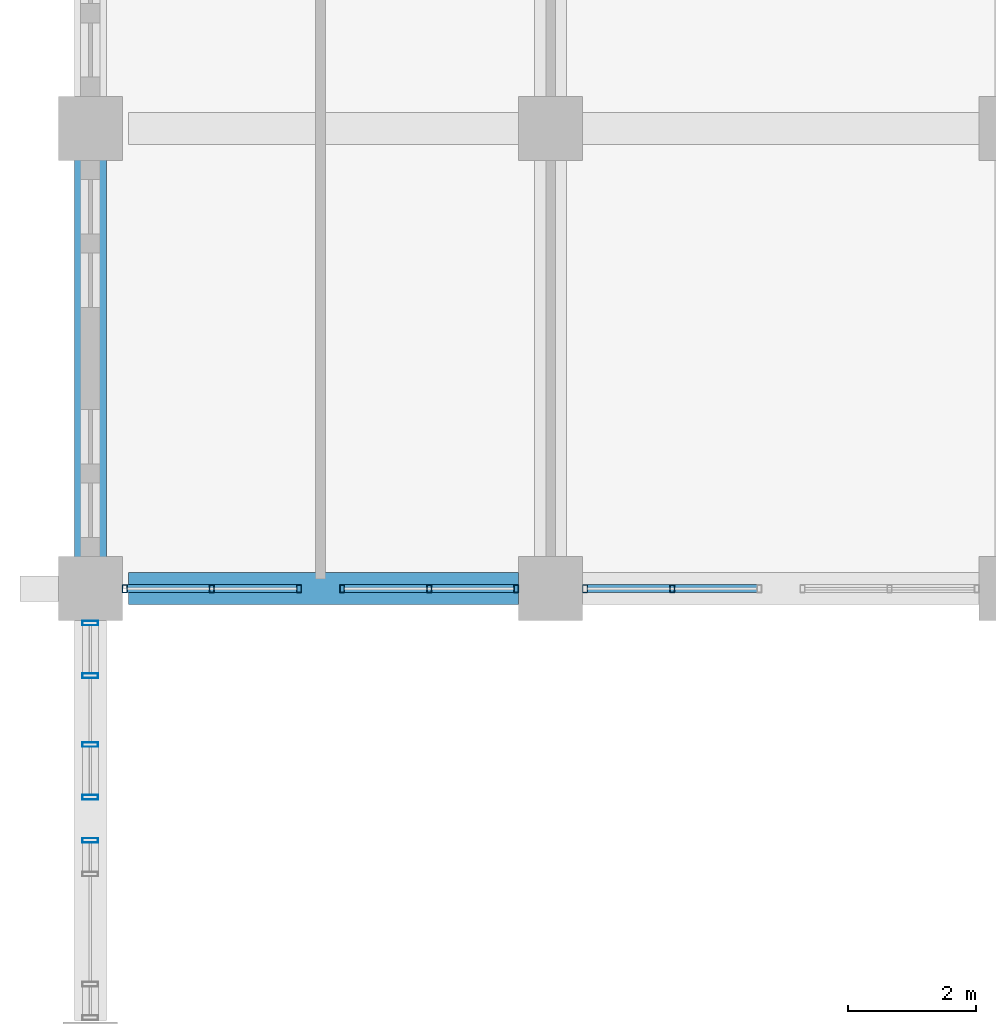
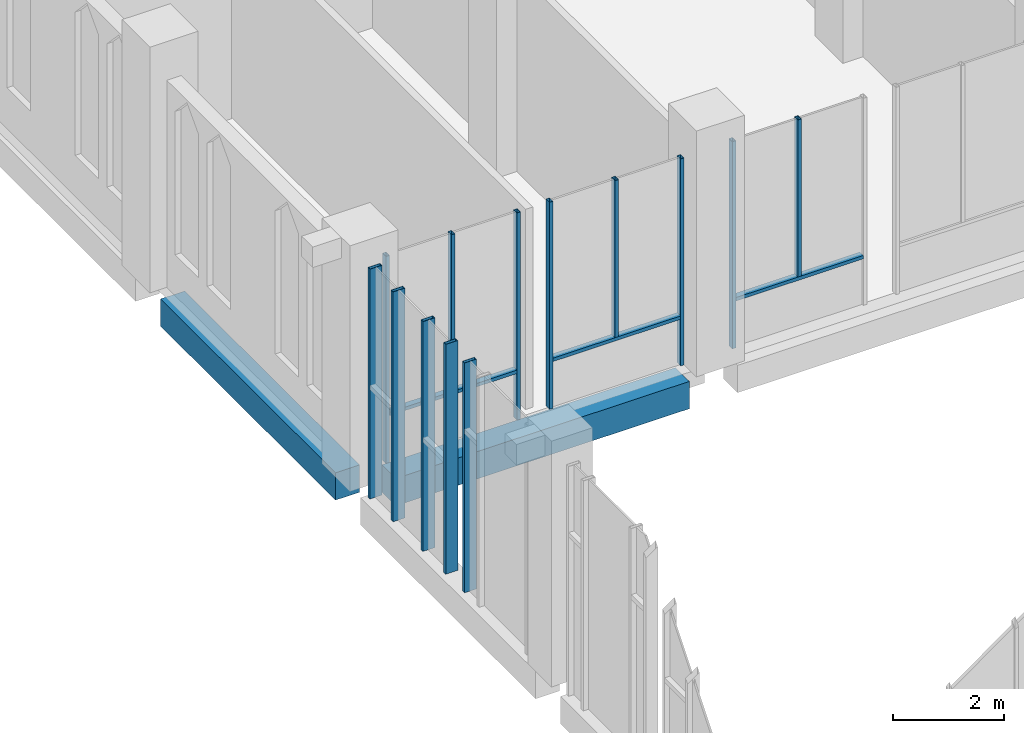
# One storey, part 7 of 48: 16 members, 2 beams, 5 elements without a shape of their own.
"""IFC4 building model written with IfcOpenShell, lengths in metres."""

import ifcopenshell
import ifcopenshell.guid

model = None  # the IFC model being written
_history = None  # IfcOwnerHistory: only IFC2X3 demands one
_inside = {}  # id of a spatial element -> (the spatial element, [elements in it])
_under = {}  # id of a project, library or spatial element -> (it, [spatial elements below it])
_declared = {}  # id of a project -> (the project, [libraries it declares])
_typed = {}  # id of a type object -> (the type object, [elements of that type])
_made_of = {}  # id of a material, layer set ... -> (it, [elements and type objects made of it])


def new_model(schema):
    """Start an empty IFC model of exactly this schema.

    Asked for "IFC4X3", IfcOpenShell would pick the latest addendum, in which some entities
    have other attributes; the version numbers below select the first issue.
    IFC2X3 requires an IfcOwnerHistory on every rooted entity: one is made here for all.
    """
    global model, _history
    if schema == "IFC4X3":
        model = ifcopenshell.file(schema_version=(4, 3, 0, 0))
    else:
        model = ifcopenshell.file(schema=schema)
    _inside.clear()
    _under.clear()
    _declared.clear()
    _typed.clear()
    _made_of.clear()
    _history = None
    if model.schema == "IFC2X3":
        org = make("IfcOrganization", Name="unknown")
        user = make(
            "IfcPersonAndOrganization",
            ThePerson=make("IfcPerson", FamilyName="unknown"),
            TheOrganization=org,
        )
        app = make(
            "IfcApplication",
            ApplicationDeveloper=org,
            Version="unknown",
            ApplicationFullName="unknown",
            ApplicationIdentifier="unknown",
        )
        _history = make(
            "IfcOwnerHistory",
            OwningUser=user,
            OwningApplication=app,
            ChangeAction="ADDED",
            CreationDate=0,
        )
    return model


def make(cls, **values):
    """One entity of the class cls with the attributes given. An attribute that is None is left unset."""
    return model.create_entity(
        cls, **{name: value for name, value in values.items() if value is not None}
    )


def rooted(cls, **values):
    """An entity with a GlobalId (a new one), such as an element, a storey or a relation."""
    return make(cls, GlobalId=ifcopenshell.guid.new(), OwnerHistory=_history, **values)


def si_unit(unit_type, name, prefix=None):
    """IfcSIUnit, for example si_unit("LENGTHUNIT", "METRE", prefix="MILLI")."""
    return make("IfcSIUnit", UnitType=unit_type, Prefix=prefix, Name=name)


def assignment(units):
    """IfcUnitAssignment: the units of a project."""
    return None if units is None else make("IfcUnitAssignment", Units=units)


def point(xyz):
    """IfcCartesianPoint."""
    return None if xyz is None else make("IfcCartesianPoint", Coordinates=xyz)


def direction(xyz):
    """IfcDirection."""
    return None if xyz is None else make("IfcDirection", DirectionRatios=xyz)


def frame(location, z_axis=None, x_axis=None):
    """IfcAxis2Placement3D, a coordinate frame: its origin and axes. An axis left out is left unset."""
    return make(
        "IfcAxis2Placement3D",
        Location=point(location),
        Axis=direction(z_axis),
        RefDirection=direction(x_axis),
    )


def frame_2d(location, x_axis=None):
    """IfcAxis2Placement2D, a coordinate frame in the plane: its origin and x axis."""
    return make(
        "IfcAxis2Placement2D", Location=point(location), RefDirection=direction(x_axis)
    )


def origin():
    """The frame at (0, 0, 0) with its axes left unset."""
    return frame((0.0, 0.0, 0.0))


def origin_2d():
    """The frame at (0, 0) in the plane with its x axis left unset."""
    return frame_2d((0.0, 0.0))


def place(relative_to, where):
    """IfcLocalPlacement: puts the frame where relative to a parent placement (None: the world)."""
    return make(
        "IfcLocalPlacement", PlacementRelTo=relative_to, RelativePlacement=where
    )


def context(
    kind, dimensions, precision=None, world=None, true_north=None, identifier=None
):
    """IfcGeometricRepresentationContext, for example the 3D "Model" context."""
    return make(
        "IfcGeometricRepresentationContext",
        ContextIdentifier=identifier,
        ContextType=kind,
        CoordinateSpaceDimension=dimensions,
        Precision=precision,
        WorldCoordinateSystem=world,
        TrueNorth=true_north,
    )


def subcontext(parent, identifier, kind, view, scale=None):
    """IfcGeometricRepresentationSubContext, for example "Body" below "Model"."""
    return make(
        "IfcGeometricRepresentationSubContext",
        ContextIdentifier=identifier,
        ContextType=kind,
        ParentContext=parent,
        TargetScale=scale,
        TargetView=view,
    )


def project(units=None, contexts=None):
    """IfcProject with its units and contexts."""
    return rooted(
        "IfcProject",
        Name="project",
        RepresentationContexts=contexts,
        UnitsInContext=assignment(units),
    )


def spatial(cls, under=None, at=None, **own):
    """A site, building, storey or space (cls), placed at a placement, below another one or the project."""
    s = rooted(cls, ObjectPlacement=at, **own)
    if under is not None:
        _under.setdefault(under.id(), (under, []))[1].append(s)
    return s


def profile(cls, at=None, kind="AREA", **sizes):
    """A parametric profile (cls). Its sizes go by their IFC names, for example OverallWidth=200.0."""
    return make(cls, ProfileType=kind, Position=at, **sizes)


def rectangle(**sizes):
    """IfcRectangleProfileDef."""
    return profile("IfcRectangleProfileDef", **sizes)


def hollow_rectangle(**sizes):
    """IfcRectangleHollowProfileDef."""
    return profile("IfcRectangleHollowProfileDef", **sizes)


def extrude(swept, where, along, depth):
    """IfcExtrudedAreaSolid: the profile swept, set in the frame where, extruded along a direction by depth."""
    return make(
        "IfcExtrudedAreaSolid",
        SweptArea=swept,
        Position=where,
        ExtrudedDirection=direction(along),
        Depth=depth,
    )


def shape(context_of_items, identifier, shape_type, items):
    """IfcShapeRepresentation: the items that make up one representation, for example the "Body"."""
    return make(
        "IfcShapeRepresentation",
        ContextOfItems=context_of_items,
        RepresentationIdentifier=identifier,
        RepresentationType=shape_type,
        Items=items,
    )


def material(Name=None, Category=None):
    """IfcMaterial."""
    return make("IfcMaterial", Name=Name, Category=Category)


def material_profile(
    of_material, cross_section, Name=None, Category=None, Priority=None
):
    """IfcMaterialProfile: a cross section and its material."""
    return make(
        "IfcMaterialProfile",
        Name=Name,
        Material=of_material,
        Profile=cross_section,
        Priority=Priority,
        Category=Category,
    )


def profile_set(profiles, Name=None, composite=None):
    """IfcMaterialProfileSet."""
    return make(
        "IfcMaterialProfileSet",
        Name=Name,
        MaterialProfiles=profiles,
        CompositeProfile=composite,
    )


def made_of(thing, what):
    """Note that an element or type object is made of a material, layer set ...; save() writes the relation."""
    if what is not None:
        _made_of.setdefault(what.id(), (what, []))[1].append(thing)
    return thing


def type_object(cls, material=None, **own):
    """A type object (cls), such as IfcWallType, which elements share."""
    return made_of(rooted(cls, **own), material)


def element(
    cls,
    number,
    at=None,
    inside=None,
    cuts=None,
    type_object=None,
    material=None,
    context=None,
    identifier="Body",
    shape_type=None,
    held_by="IfcProductDefinitionShape",
    body=None,
    shapes=None,
    **own,
):
    """One element of the class cls, such as IfcWall. Its Tag is "e" and its number.

    at: its placement. inside: the storey or other place that contains it. cuts: it is an
    opening in that element (IfcRelVoidsElement). A single representation is given by context,
    identifier, shape_type and body (its items); several are given by shapes. held_by: the class
    of the entity that holds the representations. save() writes the other relations.
    """
    e = rooted(cls, Tag="e%d" % number, ObjectPlacement=at, **own)
    if body is not None:
        shapes = [shape(context, identifier, shape_type, body)]
    if shapes is not None:
        e.Representation = make(held_by, Representations=shapes)
    if inside is not None:
        _inside.setdefault(inside.id(), (inside, []))[1].append(e)
    if cuts is not None:
        rooted(
            "IfcRelVoidsElement", RelatingBuildingElement=cuts, RelatedOpeningElement=e
        )
    if type_object is not None:
        _typed.setdefault(type_object.id(), (type_object, []))[1].append(e)
    return made_of(e, material)


def aggregate(whole, parts):
    """IfcRelAggregates: a whole, such as a stair, and the parts it consists of."""
    return rooted("IfcRelAggregates", RelatingObject=whole, RelatedObjects=parts)


def save(model, path):
    """Write the relations noted so far, then the file.

    IfcRelAggregates (storeys below a building ...), IfcRelContainedInSpatialStructure (elements
    in a storey), IfcRelDefinesByType, IfcRelAssociatesMaterial and IfcRelDeclares: one each for
    every whole, place, type object, material and project.
    """
    for whole, parts in _under.values():
        aggregate(whole, parts)
    for where, things in _inside.values():
        rooted(
            "IfcRelContainedInSpatialStructure",
            RelatedElements=things,
            RelatingStructure=where,
        )
    for kind, things in _typed.values():
        rooted("IfcRelDefinesByType", RelatedObjects=things, RelatingType=kind)
    for what, things in _made_of.values():
        rooted("IfcRelAssociatesMaterial", RelatedObjects=things, RelatingMaterial=what)
    for by, libraries in _declared.values():
        rooted("IfcRelDeclares", RelatingContext=by, RelatedDefinitions=libraries)
    model.write(path)


model = new_model("IFC4")

# Units and contexts
model_context = context("Model", 3, precision=1e-05, world=origin(), true_north=direction((0.0, 1.0)))
body_context = subcontext(model_context, "Body", "Model", "MODEL_VIEW")
ifc_project = project(units=[si_unit("LENGTHUNIT", "METRE"), si_unit("AREAUNIT", "SQUARE_METRE"), si_unit("VOLUMEUNIT", "CUBIC_METRE"), si_unit("PLANEANGLEUNIT", "RADIAN"), si_unit("MASSUNIT", "GRAM", prefix="KILO")], contexts=[model_context])

# Site, building, storey
site_placement = place(None, origin())
site = spatial("IfcSite", under=ifc_project, at=site_placement, CompositionType="ELEMENT")
building_placement = place(site_placement, origin())
building = spatial("IfcBuilding", under=site, at=building_placement, Name="Silangan Lancet Faculty of Sciences", CompositionType="ELEMENT")
storey_placement = place(building_placement, frame((0.0, 0.0, 6.0)))
storey = spatial("IfcBuildingStorey", under=building, at=storey_placement, Name="L01", CompositionType="ELEMENT", Elevation=6.0)

# Beams
ifc_material_1 = material(Name="Concrete C40/50", Category="concrete")
ifc_material_profile_1 = material_profile(ifc_material_1, rectangle(XDim=0.5, YDim=0.60009765625, at=origin_2d()), Name="RC 500x600")
ifc_profile_set_1 = profile_set([ifc_material_profile_1], Name="Concrete C40/50")
beam_type = type_object("IfcBeamType", Name="BEAM RC 500x600", PredefinedType="BEAM", material=ifc_profile_set_1)
beam_1_placement = place(storey_placement, frame((0.60009765625, 36.0, -0.550048828125), z_axis=(1.0, 0.0, 0.0), x_axis=(0.0, 1.0, 0.0)))
element("IfcBeam", 1, at=beam_1_placement, inside=storey, type_object=beam_type, Name="BM-L01-1F-2F", PredefinedType="BEAM", context=body_context, shape_type="SweptSolid", body=[
    extrude(rectangle(XDim=0.5, YDim=0.60009765625, at=origin_2d()), origin(), (0.0, 0.0, 1.0), 6.099853515625),
])
beam_2_placement = place(storey_placement, frame((0.0, 36.449951171875, -0.550048828125), z_axis=(0.0, 1.0, 0.0), x_axis=(-1.0, 0.0, 0.0)))
element("IfcBeam", 2, at=beam_2_placement, inside=storey, type_object=beam_type, Name="BM-L01-1F-1G", PredefinedType="BEAM", context=body_context, shape_type="SweptSolid", body=[
    extrude(rectangle(XDim=0.5, YDim=0.60009765625, at=origin_2d()), origin(), (0.0, 0.0, 1.0), 6.300048828125),
])

# Curtain wall, members
ifc_material_2 = material(Name="Aluminium framed curtain wall with insulated glass", Category="aluminium")
curtain_wall_type_1 = type_object("IfcCurtainWallType", Name="CW2 Atrium fire-resisting screen", PredefinedType="NOTDEFINED", material=ifc_material_2)
curtain_wall_1_placement = place(storey_placement, origin())
curtain_wall_1 = element("IfcCurtainWall", 3, at=curtain_wall_1_placement, inside=storey, type_object=curtain_wall_type_1, Name="CW2 Atrium north L01 bay 1", PredefinedType="NOTDEFINED")
ifc_material_3 = material(Name="Steel S355J2H", Category="steel")
ifc_material_profile_2 = material_profile(ifc_material_3, hollow_rectangle(XDim=0.074951171875, YDim=0.125, WallThickness=0.0048828125, at=origin_2d()), Name="ST BOX 75x125x5")
ifc_profile_set_2 = profile_set([ifc_material_profile_2], Name="Steel S355J2H")
member_type_1 = type_object("IfcMemberType", Name="CM2 Mullion 75x125", PredefinedType="MULLION", material=ifc_profile_set_2)
member_1_placement = place(storey_placement, frame((0.53759765625, 36.0, 0.0), z_axis=(0.0, 0.0, 1.0), x_axis=(1.0, 0.0, 0.0)))
member_1 = element("IfcMember", 4, at=member_1_placement, type_object=member_type_1, Name="CW2 Atrium north L01 bay 1 mullion 1", PredefinedType="MULLION", context=body_context, shape_type="SweptSolid", body=[
    extrude(hollow_rectangle(XDim=0.074951171875, YDim=0.125, WallThickness=0.0048828125, at=origin_2d()), origin(), (0.0, 0.0, 1.0), 4.550048828125),
])
member_2_placement = place(storey_placement, frame((3.2626953125, 36.0, 0.0), z_axis=(0.0, 0.0, 1.0), x_axis=(1.0, 0.0, 0.0)))
member_2 = element("IfcMember", 5, at=member_2_placement, type_object=member_type_1, Name="CW2 Atrium north L01 bay 1 mullion 2", PredefinedType="MULLION", context=body_context, shape_type="SweptSolid", body=[
    extrude(hollow_rectangle(XDim=0.074951171875, YDim=0.125, WallThickness=0.0048828125, at=origin_2d()), origin(), (0.0, 0.0, 1.0), 4.550048828125),
])
member_3_placement = place(storey_placement, frame((1.900146484375, 36.0, 1.10009765625), z_axis=(0.0, 0.0, 1.0), x_axis=(1.0, 0.0, 0.0)))
member_3 = element("IfcMember", 6, at=member_3_placement, type_object=member_type_1, Name="CW2 Atrium north L01 bay 1 mullion 3", PredefinedType="MULLION", context=body_context, shape_type="SweptSolid", body=[
    extrude(hollow_rectangle(XDim=0.074951171875, YDim=0.125, WallThickness=0.0048828125, at=origin_2d()), origin(), (0.0, 0.0, 1.0), 3.449951171875),
])

curtain_wall_2_placement = place(storey_placement, origin())
curtain_wall_2 = element("IfcCurtainWall", 7, at=curtain_wall_2_placement, inside=storey, type_object=curtain_wall_type_1, Name="CW2 Atrium north L01 bay 2", PredefinedType="NOTDEFINED")
member_4_placement = place(storey_placement, frame((3.9375, 36.0, 0.0), z_axis=(0.0, 0.0, 1.0), x_axis=(1.0, 0.0, 0.0)))
member_4 = element("IfcMember", 8, at=member_4_placement, type_object=member_type_1, Name="CW2 Atrium north L01 bay 2 mullion 1", PredefinedType="MULLION", context=body_context, shape_type="SweptSolid", body=[
    extrude(hollow_rectangle(XDim=0.074951171875, YDim=0.125, WallThickness=0.0048828125, at=origin_2d()), origin(), (0.0, 0.0, 1.0), 4.550048828125),
])
member_5_placement = place(storey_placement, frame((6.66259765625, 36.0, 0.0), z_axis=(0.0, 0.0, 1.0), x_axis=(1.0, 0.0, 0.0)))
member_5 = element("IfcMember", 9, at=member_5_placement, type_object=member_type_1, Name="CW2 Atrium north L01 bay 2 mullion 2", PredefinedType="MULLION", context=body_context, shape_type="SweptSolid", body=[
    extrude(hollow_rectangle(XDim=0.074951171875, YDim=0.125, WallThickness=0.0048828125, at=origin_2d()), origin(), (0.0, 0.0, 1.0), 4.550048828125),
])
member_6_placement = place(storey_placement, frame((5.300048828125, 36.0, 1.10009765625), z_axis=(0.0, 0.0, 1.0), x_axis=(1.0, 0.0, 0.0)))
member_6 = element("IfcMember", 10, at=member_6_placement, type_object=member_type_1, Name="CW2 Atrium north L01 bay 2 mullion 3", PredefinedType="MULLION", context=body_context, shape_type="SweptSolid", body=[
    extrude(hollow_rectangle(XDim=0.074951171875, YDim=0.125, WallThickness=0.0048828125, at=origin_2d()), origin(), (0.0, 0.0, 1.0), 3.449951171875),
])

curtain_wall_3_placement = place(storey_placement, origin())
curtain_wall_3 = element("IfcCurtainWall", 11, at=curtain_wall_3_placement, inside=storey, type_object=curtain_wall_type_1, Name="CW2 Atrium north L01 bay 3", PredefinedType="NOTDEFINED")
member_7_placement = place(storey_placement, frame((7.737548828125, 36.0, 0.0), z_axis=(0.0, 0.0, 1.0), x_axis=(1.0, 0.0, 0.0)))
member_7 = element("IfcMember", 12, at=member_7_placement, type_object=member_type_1, Name="CW2 Atrium north L01 bay 3 mullion 1", PredefinedType="MULLION", context=body_context, shape_type="SweptSolid", body=[
    extrude(hollow_rectangle(XDim=0.074951171875, YDim=0.125, WallThickness=0.0048828125, at=origin_2d()), origin(), (0.0, 0.0, 1.0), 4.550048828125),
])
member_8_placement = place(storey_placement, frame((9.10009765625, 36.0, 1.10009765625), z_axis=(0.0, 0.0, 1.0), x_axis=(1.0, 0.0, 0.0)))
member_8 = element("IfcMember", 13, at=member_8_placement, type_object=member_type_1, Name="CW2 Atrium north L01 bay 3 mullion 3", PredefinedType="MULLION", context=body_context, shape_type="SweptSolid", body=[
    extrude(hollow_rectangle(XDim=0.074951171875, YDim=0.125, WallThickness=0.0048828125, at=origin_2d()), origin(), (0.0, 0.0, 1.0), 3.449951171875),
])

# Curtain wall, member
ifc_material_4 = material(Name="Aluminium framed curtain wall with insulated glass", Category="aluminium")
curtain_wall_type_2 = type_object("IfcCurtainWallType", Name="CW6 West window middle bays", PredefinedType="NOTDEFINED", material=ifc_material_4)
curtain_wall_4_placement = place(storey_placement, origin())
curtain_wall_4 = element("IfcCurtainWall", 14, at=curtain_wall_4_placement, inside=storey, type_object=curtain_wall_type_2, Name="CW6 West window L01 bay 3", PredefinedType="NOTDEFINED")
ifc_material_5 = material(Name="Aluminium 6063-T6 extrusion", Category="aluminium")
ifc_material_profile_3 = material_profile(ifc_material_5, hollow_rectangle(XDim=0.074951171875, YDim=0.25, WallThickness=0.006103515625, at=origin_2d()), Name="AL BOX 75x250x6")
ifc_profile_set_3 = profile_set([ifc_material_profile_3], Name="Aluminium 6063-T6 extrusion")
member_type_2 = type_object("IfcMemberType", Name="CM3 Mullion 75x250", PredefinedType="MULLION", material=ifc_profile_set_3)
member_9_placement = place(storey_placement, frame((0.0, 32.0625, -0.25), z_axis=(0.0, 0.0, 1.0), x_axis=(0.0, 1.0, 0.0)))
member_9 = element("IfcMember", 15, at=member_9_placement, type_object=member_type_2, Name="CW6 West window L01 bay 3 mullion 2", PredefinedType="MULLION", context=body_context, shape_type="SweptSolid", body=[
    extrude(hollow_rectangle(XDim=0.074951171875, YDim=0.25, WallThickness=0.006103515625, at=origin_2d()), origin(), (0.0, 0.0, 1.0), 5.050048828125),
])
aggregate(curtain_wall_4, [member_9])

# Curtain wall, members
ifc_material_6 = material(Name="Aluminium framed curtain wall with insulated glass", Category="aluminium")
curtain_wall_type_3 = type_object("IfcCurtainWallType", Name="CW3 West stepped lancet window", PredefinedType="NOTDEFINED", material=ifc_material_6)
curtain_wall_5_placement = place(storey_placement, origin())
curtain_wall_5 = element("IfcCurtainWall", 16, at=curtain_wall_5_placement, inside=storey, type_object=curtain_wall_type_3, Name="CW3 West window L01 bay 4", PredefinedType="NOTDEFINED")
member_10_placement = place(storey_placement, frame((0.0, 32.7373046875, -0.25), z_axis=(0.0, 0.0, 1.0), x_axis=(0.0, 1.0, 0.0)))
member_10 = element("IfcMember", 17, at=member_10_placement, type_object=member_type_2, Name="CW3 West window L01 bay 4 mullion 1", PredefinedType="MULLION", context=body_context, shape_type="SweptSolid", body=[
    extrude(hollow_rectangle(XDim=0.074951171875, YDim=0.25, WallThickness=0.006103515625, at=origin_2d()), origin(), (0.0, 0.0, 1.0), 5.050048828125),
])
member_11_placement = place(storey_placement, frame((0.0, 35.46240234375, -0.25), z_axis=(0.0, 0.0, 1.0), x_axis=(0.0, 1.0, 0.0)))
member_11 = element("IfcMember", 18, at=member_11_placement, type_object=member_type_2, Name="CW3 West window L01 bay 4 mullion 2", PredefinedType="MULLION", context=body_context, shape_type="SweptSolid", body=[
    extrude(hollow_rectangle(XDim=0.074951171875, YDim=0.25, WallThickness=0.006103515625, at=origin_2d()), origin(), (0.0, 0.0, 1.0), 5.050048828125),
])
member_12_placement = place(storey_placement, frame((0.0, 33.5625, -0.25), z_axis=(0.0, 0.0, 1.0), x_axis=(0.0, 1.0, 0.0)))
member_12 = element("IfcMember", 19, at=member_12_placement, type_object=member_type_2, Name="CW3 West window L01 bay 4 mullion 3", PredefinedType="MULLION", context=body_context, shape_type="SweptSolid", body=[
    extrude(hollow_rectangle(XDim=0.074951171875, YDim=0.25, WallThickness=0.006103515625, at=origin_2d()), origin(), (0.0, 0.0, 1.0), 5.050048828125),
])
member_13_placement = place(storey_placement, frame((0.0, 34.637451171875, -0.25), z_axis=(0.0, 0.0, 1.0), x_axis=(0.0, 1.0, 0.0)))
member_13 = element("IfcMember", 20, at=member_13_placement, type_object=member_type_2, Name="CW3 West window L01 bay 4 mullion 4", PredefinedType="MULLION", context=body_context, shape_type="SweptSolid", body=[
    extrude(hollow_rectangle(XDim=0.074951171875, YDim=0.25, WallThickness=0.006103515625, at=origin_2d()), origin(), (0.0, 0.0, 1.0), 5.050048828125),
])
aggregate(curtain_wall_5, [member_10, member_11, member_12, member_13])

# Member
ifc_material_7 = material(Name="Steel S355J2H", Category="steel")
ifc_material_profile_4 = material_profile(ifc_material_7, hollow_rectangle(XDim=0.125, YDim=0.074951171875, WallThickness=0.0048828125, at=origin_2d()), Name="ST BOX 125x75x5")
ifc_profile_set_4 = profile_set([ifc_material_profile_4], Name="Steel S355J2H")
member_type_3 = type_object("IfcMemberType", Name="CT2 Transom 125x75", PredefinedType="USERDEFINED", material=ifc_profile_set_4)
member_14_placement = place(storey_placement, frame((0.574951171875, 36.0, 1.0625), z_axis=(1.0, 0.0, 0.0), x_axis=(0.0, 1.0, 0.0)))
member_14 = element("IfcMember", 21, at=member_14_placement, type_object=member_type_3, Name="CW2 Atrium north L01 bay 1 transom 1", ObjectType="TRANSOM", PredefinedType="USERDEFINED", context=body_context, shape_type="SweptSolid", body=[
    extrude(hollow_rectangle(XDim=0.125, YDim=0.074951171875, WallThickness=0.0048828125, at=origin_2d()), origin(), (0.0, 0.0, 1.0), 2.650146484375),
])

aggregate(curtain_wall_1, [member_1, member_2, member_3, member_14])

member_15_placement = place(storey_placement, frame((3.97509765625, 36.0, 1.0625), z_axis=(1.0, 0.0, 0.0), x_axis=(0.0, 1.0, 0.0)))
member_15 = element("IfcMember", 22, at=member_15_placement, type_object=member_type_3, Name="CW2 Atrium north L01 bay 2 transom 1", ObjectType="TRANSOM", PredefinedType="USERDEFINED", context=body_context, shape_type="SweptSolid", body=[
    extrude(hollow_rectangle(XDim=0.125, YDim=0.074951171875, WallThickness=0.0048828125, at=origin_2d()), origin(), (0.0, 0.0, 1.0), 2.64990234375),
])

aggregate(curtain_wall_2, [member_4, member_5, member_6, member_15])

member_16_placement = place(storey_placement, frame((7.77490234375, 36.0, 1.0625), z_axis=(1.0, 0.0, 0.0), x_axis=(0.0, 1.0, 0.0)))
member_16 = element("IfcMember", 23, at=member_16_placement, type_object=member_type_3, Name="CW2 Atrium north L01 bay 3 transom 1", ObjectType="TRANSOM", PredefinedType="USERDEFINED", context=body_context, shape_type="SweptSolid", body=[
    extrude(hollow_rectangle(XDim=0.125, YDim=0.074951171875, WallThickness=0.0048828125, at=origin_2d()), origin(), (0.0, 0.0, 1.0), 2.650146484375),
])

aggregate(curtain_wall_3, [member_7, member_8, member_16])

save(model, "model.ifc")
